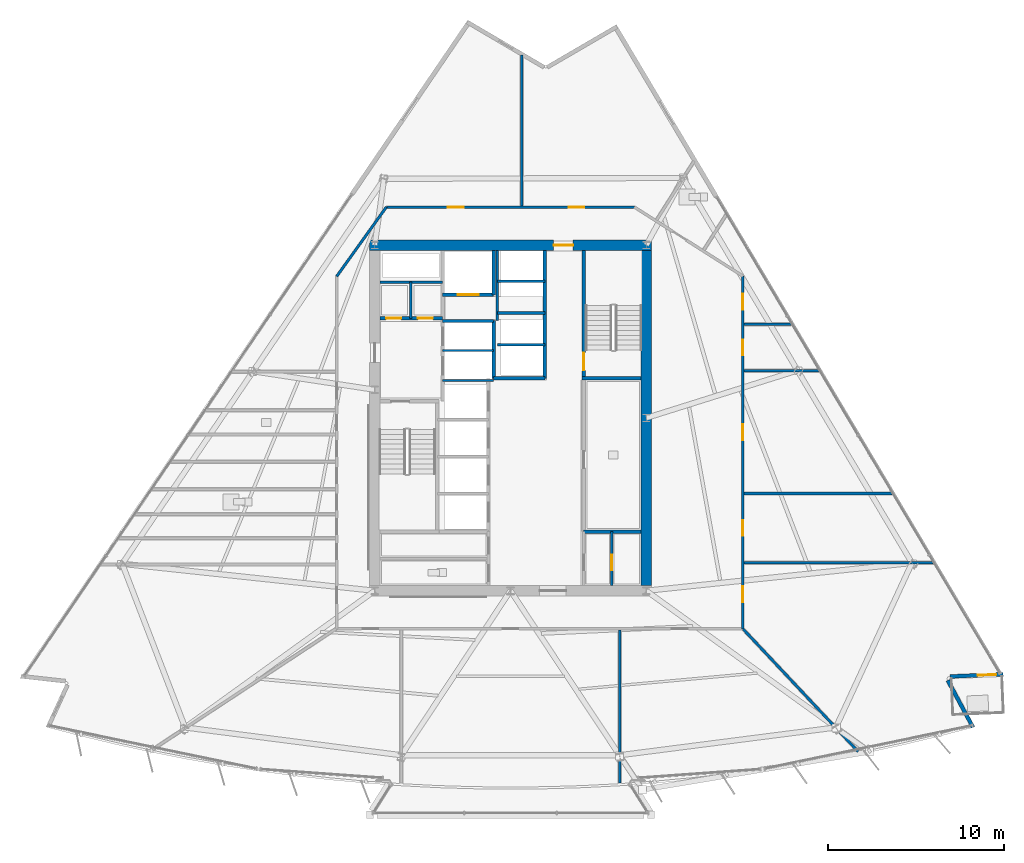
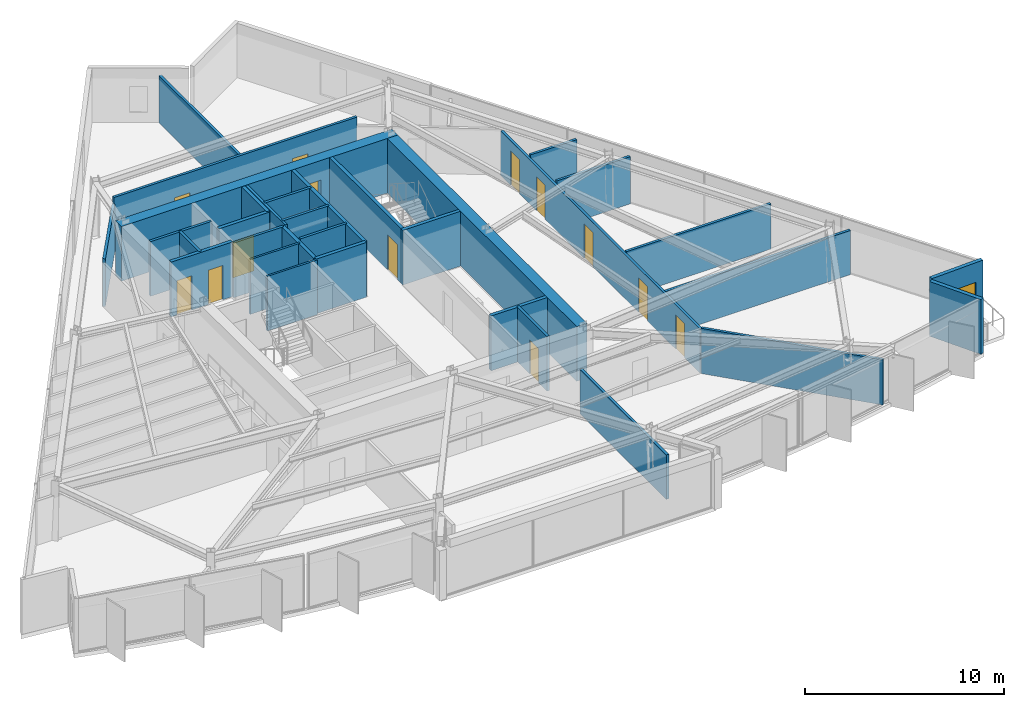
# One storey, part 9 of 15: 33 walls, 14 doors, 14 openings.
"""IFC4 building model written with IfcOpenShell, lengths in metres."""

from ifc_helpers import new_model, si_unit, direction, frame, frame_2d, origin, place, context, subcontext, project, spatial, rectangle, extrude, material, layer, layer_set, type_object, element, fill, save


model = new_model("IFC4")

# Units and contexts
model_context = context("Model", 3, precision=1e-05, world=origin(), true_north=direction((0.0, 1.0)))
body_context = subcontext(model_context, "Body", "Model", "MODEL_VIEW")
ifc_project = project(units=[si_unit("LENGTHUNIT", "METRE"), si_unit("AREAUNIT", "SQUARE_METRE"), si_unit("VOLUMEUNIT", "CUBIC_METRE"), si_unit("PLANEANGLEUNIT", "RADIAN"), si_unit("MASSUNIT", "GRAM", prefix="KILO")], contexts=[model_context])

# Site, building, storey
site_placement = place(None, origin())
site = spatial("IfcSite", under=ifc_project, at=site_placement, CompositionType="ELEMENT")
building_placement = place(site_placement, origin())
building = spatial("IfcBuilding", under=site, at=building_placement, Name="Savorim Split Tower", CompositionType="ELEMENT")
storey_placement = place(building_placement, frame((0.0, 0.0, 118.5)))
storey = spatial("IfcBuildingStorey", under=building, at=storey_placement, Name="L31", CompositionType="ELEMENT", Elevation=118.5)

# Wall, opening, door
ifc_material_1 = material(Name="Concrete C60/75", Category="concrete")
ifc_layer_1 = layer(ifc_material_1, 0.60009765625)
ifc_layer_set_1 = layer_set([ifc_layer_1], Name="WAL-COR-SH600")
wall_type_1 = type_object("IfcWallType", Name="WAL-COR-SH600", PredefinedType="SHEAR", material=ifc_layer_set_1)
wall_1_placement = place(storey_placement, frame((8.0, 10.199951171875, 0.0), z_axis=(0.0, 0.0, 1.0), x_axis=(-1.0, 0.0, 0.0)))
wall_1 = element("IfcWall", 1, at=wall_1_placement, inside=storey, type_object=wall_type_1, Name="L31 Offset Core North Shear Wall", PredefinedType="SHEAR", context=body_context, shape_type="SweptSolid", body=[
    extrude(rectangle(XDim=16.0, YDim=0.60009765625, at=frame_2d((8.0, 0.0))), origin(), (0.0, 0.0, 1.0), 3.35009765625),
])
opening_1_placement = place(wall_1_placement, frame((4.449951171875, 0.0, 0.0)))
opening_1 = element("IfcOpeningElement", 2, at=opening_1_placement, cuts=wall_1, Name="Opening DI-03", PredefinedType="OPENING", context=body_context, shape_type="SweptSolid", body=[
    extrude(rectangle(XDim=1.10009765625, YDim=2.14990234375, at=frame_2d((0.550048828125, 1.074951171875))), frame((0.0, 0.31005859375, 0.0), z_axis=(0.0, -1.0, 0.0), x_axis=(1.0, 0.0, 0.0)), (0.0, 0.0, 1.0), 0.6201171875),
])
ifc_material_2 = material(Name="Timber Fire Door Leaf", Category="wood")
door_type_1 = type_object("IfcDoorType", Name="DOR-FIR-1100", OperationType="NOTDEFINED", PredefinedType="DOOR", material=ifc_material_2)
door_1_placement = place(opening_1_placement, origin())
door_1 = element("IfcDoor", 3, at=door_1_placement, inside=storey, type_object=door_type_1, Name="DOR-L31-COR-NLOB - L31 North Corridor Lobby Fire Door", OperationType="SINGLE_SWING_RIGHT", OverallHeight=2.14990234375, OverallWidth=1.10009765625, PredefinedType="DOOR", context=body_context, shape_type="SweptSolid", body=[
    extrude(rectangle(XDim=1.10009765625, YDim=2.14990234375, at=frame_2d((0.550048828125, 1.074951171875))), frame((0.0, 0.02490234375, 0.0), z_axis=(0.0, -1.0, 0.0), x_axis=(1.0, 0.0, 0.0)), (0.0, 0.0, 1.0), 0.050048828125),
])
fill(opening_1, door_1)

# Walls
wall_2_placement = place(storey_placement, frame((7.699951171875, 9.89990234375, 0.0), z_axis=(0.0, 0.0, 1.0), x_axis=(0.0, -1.0, 0.0)))
element("IfcWall", 4, at=wall_2_placement, inside=storey, type_object=wall_type_1, Name="L31 Offset Core East Shear Wall", PredefinedType="SHEAR", context=body_context, shape_type="SweptSolid", body=[
    extrude(rectangle(XDim=19.0, YDim=0.60009765625, at=frame_2d((9.5, 0.0))), origin(), (0.0, 0.0, 1.0), 3.35009765625),
])
ifc_material_3 = material(Name="Precast concrete C40/50", Category="concrete")
ifc_layer_2 = layer(ifc_material_3, 0.219970703125)
ifc_layer_set_2 = layer_set([ifc_layer_2], Name="WAL-EXT-CRN220")
wall_type_2 = type_object("IfcWallType", Name="WAL-EXT-CRN220", PredefinedType="SOLIDWALL", material=ifc_layer_set_2)
wall_3_placement = place(storey_placement, frame((24.79833984375, -14.477294921875, 0.0), z_axis=(0.0, 0.0, 1.0), x_axis=(0.472820757697, -0.881158629925, 0.0)))
element("IfcWall", 5, at=wall_3_placement, inside=storey, type_object=wall_type_2, Name="L31 Notched Corner Facade Wall SE1", PredefinedType="SOLIDWALL", context=body_context, shape_type="SweptSolid", body=[
    extrude(rectangle(XDim=3.02880859375, YDim=0.219970703125, at=frame_2d((1.514404296875, 0.0))), origin(), (0.0, 0.0, 1.0), 3.35009765625),
])

# Wall, opening, door
wall_4_placement = place(storey_placement, frame((27.943359375, -14.135009765625, 0.0), z_axis=(0.0, 0.0, 1.0), x_axis=(-0.999095621918, -0.042519857284, 0.0)))
wall_4 = element("IfcWall", 6, at=wall_4_placement, inside=storey, type_object=wall_type_2, Name="L31 Notched Corner Facade Wall SE", PredefinedType="SOLIDWALL", context=body_context, shape_type="SweptSolid", body=[
    extrude(rectangle(XDim=3.02587890625, YDim=0.219970703125, at=frame_2d((1.512939453125, 0.0))), origin(), (0.0, 0.0, 1.0), 3.35009765625),
])
opening_2_placement = place(wall_4_placement, frame((0.407958984375, 0.0, 0.0)))
opening_2 = element("IfcOpeningElement", 7, at=opening_2_placement, cuts=wall_4, Name="Opening DB-01", PredefinedType="OPENING", context=body_context, shape_type="SweptSolid", body=[
    extrude(rectangle(XDim=1.050048828125, YDim=2.14990234375, at=frame_2d((0.52490234375, 1.074951171875))), frame((0.0, 0.119873046875, 0.0), z_axis=(0.0, -1.0, 0.0), x_axis=(1.0, 0.0, 0.0)), (0.0, 0.0, 1.0), 0.239990234375),
])
ifc_material_4 = material(Name="Charcoal Anodised Aluminium", Category="aluminium")
door_type_2 = type_object("IfcDoorType", Name="DOR-BAL-1050", OperationType="NOTDEFINED", PredefinedType="DOOR", material=ifc_material_4)
door_2_placement = place(opening_2_placement, origin())
door_2 = element("IfcDoor", 8, at=door_2_placement, inside=storey, type_object=door_type_2, Name="DOR-L31-TBAL-SE - L31 Planted Tree Balcony Door SE", OperationType="SINGLE_SWING_RIGHT", OverallHeight=2.14990234375, OverallWidth=1.050048828125, PredefinedType="DOOR", context=body_context, shape_type="SweptSolid", body=[
    extrude(rectangle(XDim=1.050048828125, YDim=2.14990234375, at=frame_2d((0.52490234375, 1.074951171875))), frame((0.0, 0.02490234375, 0.0), z_axis=(0.0, -1.0, 0.0), x_axis=(1.0, 0.0, 0.0)), (0.0, 0.0, 1.0), 0.050048828125),
])
fill(opening_2, door_2)

# Wall, openings, doors
ifc_material_5 = material(Name="Concrete C50/60", Category="concrete")
ifc_layer_3 = layer(ifc_material_5, 0.199951171875)
ifc_layer_set_3 = layer_set([ifc_layer_3], Name="WAL-INT-RC200")
wall_type_3 = type_object("IfcWallType", Name="WAL-INT-RC200", PredefinedType="SOLIDWALL", material=ifc_layer_set_3)
wall_5_placement = place(storey_placement, frame((-7.39501953125, 6.050048828125, 0.0), z_axis=(0.0, 0.0, 1.0), x_axis=(1.0, 0.0, 0.0)))
wall_5 = element("IfcWall", 9, at=wall_5_placement, inside=storey, type_object=wall_type_3, Name="L31 Partition W-L31-CR04", PredefinedType="SOLIDWALL", context=body_context, shape_type="SweptSolid", body=[
    extrude(rectangle(XDim=3.544921875, YDim=0.199951171875, at=frame_2d((1.7724609375, 0.0))), origin(), (0.0, 0.0, 1.0), 3.35009765625),
])
opening_3_placement = place(wall_5_placement, frame((0.344970703125, 0.0, 0.0)))
opening_3 = element("IfcOpeningElement", 10, at=opening_3_placement, cuts=wall_5, Name="Opening DI-12", PredefinedType="OPENING", context=body_context, shape_type="SweptSolid", body=[
    extrude(rectangle(XDim=0.85009765625, YDim=2.10009765625, at=frame_2d((0.425048828125, 1.050048828125))), frame((0.0, 0.10986328125, 0.0), z_axis=(0.0, -1.0, 0.0), x_axis=(1.0, 0.0, 0.0)), (0.0, 0.0, 1.0), 0.219970703125),
])
opening_4_placement = place(wall_5_placement, frame((2.14501953125, 0.0, 0.0)))
opening_4 = element("IfcOpeningElement", 11, at=opening_4_placement, cuts=wall_5, Name="Opening DI-12", PredefinedType="OPENING", context=body_context, shape_type="SweptSolid", body=[
    extrude(rectangle(XDim=0.85009765625, YDim=2.10009765625, at=frame_2d((0.425048828125, 1.050048828125))), frame((0.0, 0.10986328125, 0.0), z_axis=(0.0, -1.0, 0.0), x_axis=(1.0, 0.0, 0.0)), (0.0, 0.0, 1.0), 0.219970703125),
])
ifc_material_6 = material(Name="Galvanised Painted Steel Balustrade", Category="steel")
door_type_3 = type_object("IfcDoorType", Name="DOR-RIS-850", OperationType="NOTDEFINED", PredefinedType="DOOR", material=ifc_material_6)
door_3_placement = place(opening_3_placement, origin())
door_3 = element("IfcDoor", 12, at=door_3_placement, inside=storey, type_object=door_type_3, Name="DR-L31-ELR - L31 Electrical Riser Access Door", OperationType="SINGLE_SWING_RIGHT", OverallHeight=2.10009765625, OverallWidth=0.85009765625, PredefinedType="DOOR", context=body_context, shape_type="SweptSolid", body=[
    extrude(rectangle(XDim=0.85009765625, YDim=2.10009765625, at=frame_2d((0.425048828125, 1.050048828125))), frame((0.0, 0.02490234375, 0.0), z_axis=(0.0, -1.0, 0.0), x_axis=(1.0, 0.0, 0.0)), (0.0, 0.0, 1.0), 0.050048828125),
])
fill(opening_3, door_3)
door_4_placement = place(opening_4_placement, origin())
door_4 = element("IfcDoor", 13, at=door_4_placement, inside=storey, type_object=door_type_3, Name="DR-L31-TLR - L31 Telecom Riser Access Door", OperationType="SINGLE_SWING_LEFT", OverallHeight=2.10009765625, OverallWidth=0.85009765625, PredefinedType="DOOR", context=body_context, shape_type="SweptSolid", body=[
    extrude(rectangle(XDim=0.85009765625, YDim=2.10009765625, at=frame_2d((0.425048828125, 1.050048828125))), frame((0.0, 0.02490234375, 0.0), z_axis=(0.0, -1.0, 0.0), x_axis=(1.0, 0.0, 0.0)), (0.0, 0.0, 1.0), 0.050048828125),
])
fill(opening_4, door_4)

# Wall, opening, door
wall_6_placement = place(storey_placement, frame((4.14990234375, 2.75, 0.0), z_axis=(0.0, 0.0, 1.0), x_axis=(0.0, 1.0, 0.0)))
wall_6 = element("IfcWall", 14, at=wall_6_placement, inside=storey, type_object=wall_type_3, Name="L31 Structural Shaft Wall W-L31-CR07", PredefinedType="SOLIDWALL", context=body_context, shape_type="SweptSolid", body=[
    extrude(rectangle(XDim=7.14990234375, YDim=0.199951171875, at=frame_2d((3.574951171875, 0.0))), origin(), (0.0, 0.0, 1.0), 3.35009765625),
])
opening_5_placement = place(wall_6_placement, frame((0.35009765625, 0.0, 0.0)))
opening_5 = element("IfcOpeningElement", 15, at=opening_5_placement, cuts=wall_6, Name="Opening DI-04", PredefinedType="OPENING", context=body_context, shape_type="SweptSolid", body=[
    extrude(rectangle(XDim=1.0, YDim=2.14990234375, at=frame_2d((0.5, 1.074951171875))), frame((0.0, 0.10986328125, 0.0), z_axis=(0.0, -1.0, 0.0), x_axis=(1.0, 0.0, 0.0)), (0.0, 0.0, 1.0), 0.219970703125),
])
door_type_4 = type_object("IfcDoorType", Name="DOR-FIR-1000", OperationType="NOTDEFINED", PredefinedType="DOOR", material=ifc_material_2)
door_5_placement = place(opening_5_placement, origin())
door_5 = element("IfcDoor", 16, at=door_5_placement, inside=storey, type_object=door_type_4, Name="DR-L31-ST2 - L31 Stair ST-2 Enclosure Door", OperationType="SINGLE_SWING_RIGHT", OverallHeight=2.14990234375, OverallWidth=1.0, PredefinedType="DOOR", context=body_context, shape_type="SweptSolid", body=[
    extrude(rectangle(XDim=1.0, YDim=2.14990234375, at=frame_2d((0.5, 1.074951171875))), frame((0.0, 0.02490234375, 0.0), z_axis=(0.0, -1.0, 0.0), x_axis=(1.0, 0.0, 0.0)), (0.0, 0.0, 1.0), 0.050048828125),
])
fill(opening_5, door_5)

# Walls
wall_7_placement = place(storey_placement, frame((4.050048828125, 2.64990234375, 0.0), z_axis=(0.0, 0.0, 1.0), x_axis=(1.0, 0.0, 0.0)))
element("IfcWall", 17, at=wall_7_placement, inside=storey, type_object=wall_type_3, Name="L31 Structural Shaft Wall W-L31-CR08", PredefinedType="SOLIDWALL", context=body_context, shape_type="SweptSolid", body=[
    extrude(rectangle(XDim=3.349853515625, YDim=0.199951171875, at=frame_2d((1.6748046875, 0.0))), origin(), (0.0, 0.0, 1.0), 3.35009765625),
])
wall_8_placement = place(storey_placement, frame((-0.949951171875, 2.64990234375, 0.0), z_axis=(0.0, 0.0, 1.0), x_axis=(0.0, 1.0, 0.0)))
element("IfcWall", 18, at=wall_8_placement, inside=storey, type_object=wall_type_3, Name="L31 Partition W-L31-FFLW", PredefinedType="SOLIDWALL", context=body_context, shape_type="SweptSolid", body=[
    extrude(rectangle(XDim=3.27001953125, YDim=0.199951171875, at=frame_2d((1.635009765625, 0.0))), origin(), (0.0, 0.0, 1.0), 3.35009765625),
])

# Wall, opening, door
wall_9_placement = place(storey_placement, frame((-3.85009765625, 7.3798828125, 0.0), z_axis=(0.0, 0.0, 1.0), x_axis=(1.0, 0.0, 0.0)))
wall_9 = element("IfcWall", 19, at=wall_9_placement, inside=storey, type_object=wall_type_3, Name="L31 Partition W-L31-SVLS", PredefinedType="SOLIDWALL", context=body_context, shape_type="SweptSolid", body=[
    extrude(rectangle(XDim=2.900146484375, YDim=0.199951171875, at=frame_2d((1.4501953125, 0.0))), origin(), (0.0, 0.0, 1.0), 3.35009765625),
])
opening_6_placement = place(wall_9_placement, frame((0.85009765625, 0.0, 0.0)))
opening_6 = element("IfcOpeningElement", 20, at=opening_6_placement, cuts=wall_9, Name="Opening LD-SV", PredefinedType="OPENING", context=body_context, shape_type="SweptSolid", body=[
    extrude(rectangle(XDim=1.199951171875, YDim=2.199951171875, at=frame_2d((0.60009765625, 1.10009765625))), frame((0.0, 0.10986328125, 0.0), z_axis=(0.0, -1.0, 0.0), x_axis=(1.0, 0.0, 0.0)), (0.0, 0.0, 1.0), 0.219970703125),
])
door_type_5 = type_object("IfcDoorType", Name="DOR-SLD-SV1200", OperationType="NOTDEFINED", PredefinedType="DOOR", material=ifc_material_4)
door_6_placement = place(opening_6_placement, origin())
door_6 = element("IfcDoor", 21, at=door_6_placement, inside=storey, type_object=door_type_5, Name="DR-L31-LD-SVL1 - L31 Service Lift SVL-1 Sliding Landing Door", OperationType="DOUBLE_DOOR_SLIDING", OverallHeight=2.199951171875, OverallWidth=1.199951171875, PredefinedType="DOOR", context=body_context, shape_type="SweptSolid", body=[
    extrude(rectangle(XDim=1.199951171875, YDim=2.199951171875, at=frame_2d((0.60009765625, 1.10009765625))), frame((0.0, 0.02490234375, 0.0), z_axis=(0.0, -1.0, 0.0), x_axis=(1.0, 0.0, 0.0)), (0.0, 0.0, 1.0), 0.050048828125),
])
fill(opening_6, door_6)

# Walls
wall_10_placement = place(storey_placement, frame((-0.949951171875, 7.3798828125, 0.0), z_axis=(0.0, 0.0, 1.0), x_axis=(0.0, 1.0, 0.0)))
element("IfcWall", 22, at=wall_10_placement, inside=storey, type_object=wall_type_3, Name="L31 Partition W-L31-SVLE", PredefinedType="SOLIDWALL", context=body_context, shape_type="SweptSolid", body=[
    extrude(rectangle(XDim=2.51513671875, YDim=0.199951171875, at=frame_2d((1.257568359375, 0.0))), origin(), (0.0, 0.0, 1.0), 3.35009765625),
])
wall_11_placement = place(storey_placement, frame((1.949951171875, 2.64990234375, 0.0), z_axis=(0.0, 0.0, 1.0), x_axis=(0.0, 1.0, 0.0)))
element("IfcWall", 23, at=wall_11_placement, inside=storey, type_object=wall_type_3, Name="L31 Partition W-L31-B3FRONT", PredefinedType="SOLIDWALL", context=body_context, shape_type="SweptSolid", body=[
    extrude(rectangle(XDim=7.2451171875, YDim=0.199951171875, at=frame_2d((3.62255859375, 0.0))), origin(), (0.0, 0.0, 1.0), 3.35009765625),
])
wall_12_placement = place(storey_placement, frame((-0.949951171875, 2.64990234375, 0.0), z_axis=(0.0, 0.0, 1.0), x_axis=(1.0, 0.0, 0.0)))
element("IfcWall", 24, at=wall_12_placement, inside=storey, type_object=wall_type_3, Name="L31 Partition W-L31-B3SOUTH", PredefinedType="SOLIDWALL", context=body_context, shape_type="SweptSolid", body=[
    extrude(rectangle(XDim=2.89990234375, YDim=0.199951171875, at=frame_2d((1.449951171875, 0.0))), origin(), (0.0, 0.0, 1.0), 3.35009765625),
])
wall_13_placement = place(storey_placement, frame((4.14990234375, -6.050048828125, 0.0), z_axis=(0.0, 0.0, 1.0), x_axis=(1.0, 0.0, 0.0)))
element("IfcWall", 25, at=wall_13_placement, inside=storey, type_object=wall_type_3, Name="L31 Partition W-L31-KSEP-E", PredefinedType="SOLIDWALL", context=body_context, shape_type="SweptSolid", body=[
    extrude(rectangle(XDim=3.2451171875, YDim=0.199951171875, at=frame_2d((1.62255859375, 0.0))), origin(), (0.0, 0.0, 1.0), 3.35009765625),
])
ifc_material_7 = material(Name="Acoustic Gypsum Partition Board")
ifc_layer_4 = layer(ifc_material_7, 0.1201171875)
ifc_layer_set_4 = layer_set([ifc_layer_4], Name="WAL-PAR-120")
wall_type_4 = type_object("IfcWallType", Name="WAL-PAR-120", PredefinedType="PARTITIONING", material=ifc_layer_set_4)
for number, where, z_axis, x_axis, name in (
    (26, (-3.85009765625, 2.52001953125, 0.0), (0.0, 0.0, 1.0), (1.0, 0.0, 0.0), "L31 Partition W-L31-FFLD0"),
    (27, (-3.85009765625, 4.219970703125, 0.0), (0.0, 0.0, 1.0), (1.0, 0.0, 0.0), "L31 Partition W-L31-FFLD1"),
):
    element("IfcWall", number, at=place(storey_placement, frame(where, z_axis=z_axis, x_axis=x_axis)), inside=storey, type_object=wall_type_4, Name=name, PredefinedType="PARTITIONING", context=body_context, shape_type="SweptSolid", body=[
        extrude(rectangle(XDim=2.900146484375, YDim=0.1201171875, at=frame_2d((1.4501953125, 0.0))), origin(), (0.0, 0.0, 1.0), 3.35009765625),
    ])
ifc_layer_5 = layer(ifc_material_7, 0.14990234375)
ifc_layer_set_5 = layer_set([ifc_layer_5], Name="WAL-PAR-150")
wall_type_5 = type_object("IfcWallType", Name="WAL-PAR-150", PredefinedType="PARTITIONING", material=ifc_layer_set_5)
wall_14_placement = place(storey_placement, frame((-7.39501953125, 8.10009765625, 0.0), z_axis=(0.0, 0.0, 1.0), x_axis=(1.0, 0.0, 0.0)))
element("IfcWall", 28, at=wall_14_placement, inside=storey, type_object=wall_type_5, Name="L31 Partition W-L31-CR05", PredefinedType="PARTITIONING", context=body_context, shape_type="SweptSolid", body=[
    extrude(rectangle(XDim=3.544921875, YDim=0.14990234375, at=frame_2d((1.7724609375, 0.0))), origin(), (0.0, 0.0, 1.0), 3.35009765625),
])
wall_15_placement = place(storey_placement, frame((-5.64990234375, 6.050048828125, 0.0), z_axis=(0.0, 0.0, 1.0), x_axis=(0.0, 1.0, 0.0)))
element("IfcWall", 29, at=wall_15_placement, inside=storey, type_object=wall_type_5, Name="L31 Partition W-L31-CR06", PredefinedType="PARTITIONING", context=body_context, shape_type="SweptSolid", body=[
    extrude(rectangle(XDim=2.050048828125, YDim=0.14990234375, at=frame_2d((1.02490234375, 0.0))), origin(), (0.0, 0.0, 1.0), 3.35009765625),
])
wall_16_placement = place(storey_placement, frame((-3.85009765625, 5.89990234375, 0.0), z_axis=(0.0, 0.0, 1.0), x_axis=(1.0, 0.0, 0.0)))
element("IfcWall", 30, at=wall_16_placement, inside=storey, type_object=wall_type_5, Name="L31 Partition W-L31-FFLD2", PredefinedType="PARTITIONING", context=body_context, shape_type="SweptSolid", body=[
    extrude(rectangle(XDim=2.900146484375, YDim=0.14990234375, at=frame_2d((1.4501953125, 0.0))), origin(), (0.0, 0.0, 1.0), 3.35009765625),
])
wall_17_placement = place(storey_placement, frame((-0.75, 5.919921875, 0.0), z_axis=(0.0, 0.0, 1.0), x_axis=(0.0, 1.0, 0.0)))
element("IfcWall", 31, at=wall_17_placement, inside=storey, type_object=wall_type_5, Name="L31 Partition W-L31-B3WEST", PredefinedType="PARTITIONING", context=body_context, shape_type="SweptSolid", body=[
    extrude(rectangle(XDim=3.97509765625, YDim=0.14990234375, at=frame_2d((1.987548828125, 0.0))), origin(), (0.0, 0.0, 1.0), 3.35009765625),
])
for number, where, z_axis, x_axis, name in (
    (32, (-0.75, 4.550048828125, 0.0), (0.0, 0.0, 1.0), (1.0, 0.0, 0.0), "L31 Partition W-L31-B3DIV1"),
    (33, (-0.75, 6.35009765625, 0.0), (0.0, 0.0, 1.0), (1.0, 0.0, 0.0), "L31 Partition W-L31-B3DIV2"),
    (34, (-0.75, 8.14990234375, 0.0), (0.0, 0.0, 1.0), (1.0, 0.0, 0.0), "L31 Partition W-L31-B3DIV3"),
):
    element("IfcWall", number, at=place(storey_placement, frame(where, z_axis=z_axis, x_axis=x_axis)), inside=storey, type_object=wall_type_5, Name=name, PredefinedType="PARTITIONING", context=body_context, shape_type="SweptSolid", body=[
        extrude(rectangle(XDim=2.699951171875, YDim=0.14990234375, at=frame_2d((1.35009765625, 0.0))), origin(), (0.0, 0.0, 1.0), 3.35009765625),
    ])

# Wall, opening, door
wall_18_placement = place(storey_placement, frame((5.75, -9.094970703125, 0.0), z_axis=(0.0, 0.0, 1.0), x_axis=(0.0, 1.0, 0.0)))
wall_18 = element("IfcWall", 35, at=wall_18_placement, inside=storey, type_object=wall_type_5, Name="L31 Partition W-L31-K2E", PredefinedType="PARTITIONING", context=body_context, shape_type="SweptSolid", body=[
    extrude(rectangle(XDim=3.044921875, YDim=0.14990234375, at=frame_2d((1.5224609375, 0.0))), origin(), (0.0, 0.0, 1.0), 3.35009765625),
])
opening_7_placement = place(wall_18_placement, frame((0.844970703125, 0.0, 0.0)))
opening_7 = element("IfcOpeningElement", 36, at=opening_7_placement, cuts=wall_18, Name="Opening DI-06", PredefinedType="OPENING", context=body_context, shape_type="SweptSolid", body=[
    extrude(rectangle(XDim=0.89990234375, YDim=2.10009765625, at=frame_2d((0.449951171875, 1.050048828125))), frame((0.0, 0.0849609375, 0.0), z_axis=(0.0, -1.0, 0.0), x_axis=(1.0, 0.0, 0.0)), (0.0, 0.0, 1.0), 0.169921875),
])
door_type_6 = type_object("IfcDoorType", Name="DOR-FIR-900", OperationType="NOTDEFINED", PredefinedType="DOOR", material=ifc_material_2)
door_7_placement = place(opening_7_placement, origin())
door_7 = element("IfcDoor", 37, at=door_7_placement, inside=storey, type_object=door_type_6, Name="DR-L31-K2REF - L31 Recycling Room Door", OperationType="SINGLE_SWING_RIGHT", OverallHeight=2.10009765625, OverallWidth=0.89990234375, PredefinedType="DOOR", context=body_context, shape_type="SweptSolid", body=[
    extrude(rectangle(XDim=0.89990234375, YDim=2.10009765625, at=frame_2d((0.449951171875, 1.050048828125))), frame((0.0, 0.02490234375, 0.0), z_axis=(0.0, -1.0, 0.0), x_axis=(1.0, 0.0, 0.0)), (0.0, 0.0, 1.0), 0.050048828125),
])
fill(opening_7, door_7)

# Wall
wall_19_placement = place(storey_placement, frame((-9.860107421875, 8.42578125, 0.0), z_axis=(0.0, 0.0, 1.0), x_axis=(0.582449511476, 0.812866881218, 0.0)))
element("IfcWall", 38, at=wall_19_placement, inside=storey, type_object=wall_type_5, Name="L31 Partition W-L31-COR-02", PredefinedType="PARTITIONING", context=body_context, shape_type="SweptSolid", body=[
    extrude(rectangle(XDim=4.840087890625, YDim=0.14990234375, at=frame_2d((2.419921875, 0.0))), origin(), (0.0, 0.0, 1.0), 2.925048828125),
])

# Wall, openings, doors
wall_20_placement = place(storey_placement, frame((-7.041015625, 12.360107421875, 0.0), z_axis=(0.0, 0.0, 1.0), x_axis=(1.0, 0.0, 0.0)))
wall_20 = element("IfcWall", 39, at=wall_20_placement, inside=storey, type_object=wall_type_5, Name="L31 Partition W-L31-COR-03", PredefinedType="PARTITIONING", context=body_context, shape_type="SweptSolid", body=[
    extrude(rectangle(XDim=14.064208984375, YDim=0.14990234375, at=frame_2d((7.0322265625, 0.0))), origin(), (0.0, 0.0, 1.0), 3.35009765625),
])
opening_8_placement = place(wall_20_placement, frame((10.33203125, 0.0, 0.0)))
opening_8 = element("IfcOpeningElement", 40, at=opening_8_placement, cuts=wall_20, Name="Opening DI-06", PredefinedType="OPENING", context=body_context, shape_type="SweptSolid", body=[
    extrude(rectangle(XDim=0.89990234375, YDim=2.10009765625, at=frame_2d((0.449951171875, 1.050048828125))), frame((0.0, 0.0849609375, 0.0), z_axis=(0.0, -1.0, 0.0), x_axis=(1.0, 0.0, 0.0)), (0.0, 0.0, 1.0), 0.169921875),
])
opening_9_placement = place(wall_20_placement, frame((3.478271484375, 0.0, 0.0)))
opening_9 = element("IfcOpeningElement", 41, at=opening_9_placement, cuts=wall_20, Name="Opening DI-06", PredefinedType="OPENING", context=body_context, shape_type="SweptSolid", body=[
    extrude(rectangle(XDim=0.89990234375, YDim=2.10009765625, at=frame_2d((0.449951171875, 1.050048828125))), frame((0.0, 0.0849609375, 0.0), z_axis=(0.0, -1.0, 0.0), x_axis=(1.0, 0.0, 0.0)), (0.0, 0.0, 1.0), 0.169921875),
])
door_8_placement = place(opening_8_placement, origin())
door_8 = element("IfcDoor", 42, at=door_8_placement, inside=storey, type_object=door_type_6, Name="DR-L31-RM17 - L31 Maker Workshop Entry Door", OperationType="SINGLE_SWING_RIGHT", OverallHeight=2.10009765625, OverallWidth=0.89990234375, PredefinedType="DOOR", context=body_context, shape_type="SweptSolid", body=[
    extrude(rectangle(XDim=0.89990234375, YDim=2.10009765625, at=frame_2d((0.449951171875, 1.050048828125))), frame((0.0, 0.02490234375, 0.0), z_axis=(0.0, -1.0, 0.0), x_axis=(1.0, 0.0, 0.0)), (0.0, 0.0, 1.0), 0.050048828125),
])
fill(opening_8, door_8)
door_9_placement = place(opening_9_placement, origin())
door_9 = element("IfcDoor", 43, at=door_9_placement, inside=storey, type_object=door_type_6, Name="DR-L31-RM18 - L31 Maker Workshop Entry Door", OperationType="SINGLE_SWING_LEFT", OverallHeight=2.10009765625, OverallWidth=0.89990234375, PredefinedType="DOOR", context=body_context, shape_type="SweptSolid", body=[
    extrude(rectangle(XDim=0.89990234375, YDim=2.10009765625, at=frame_2d((0.449951171875, 1.050048828125))), frame((0.0, 0.02490234375, 0.0), z_axis=(0.0, -1.0, 0.0), x_axis=(1.0, 0.0, 0.0)), (0.0, 0.0, 1.0), 0.050048828125),
])
fill(opening_9, door_9)

wall_21_placement = place(storey_placement, frame((13.179931640625, 8.44384765625, 0.0), z_axis=(0.0, 0.0, 1.0), x_axis=(0.0, -1.0, 0.0)))
wall_21 = element("IfcWall", 44, at=wall_21_placement, inside=storey, type_object=wall_type_5, Name="L31 Partition W-L31-COR-05", PredefinedType="PARTITIONING", context=body_context, shape_type="SweptSolid", body=[
    extrude(rectangle(XDim=20.00390625, YDim=0.14990234375, at=frame_2d((10.001953125, 0.0))), origin(), (0.0, 0.0, 1.0), 2.705078125),
])
opening_10_placement = place(wall_21_placement, frame((17.5869140625, 0.0, 0.0)))
opening_10 = element("IfcOpeningElement", 45, at=opening_10_placement, cuts=wall_21, Name="Opening DI-06", PredefinedType="OPENING", context=body_context, shape_type="SweptSolid", body=[
    extrude(rectangle(XDim=0.89990234375, YDim=2.10009765625, at=frame_2d((0.449951171875, 1.050048828125))), frame((0.0, 0.0849609375, 0.0), z_axis=(0.0, -1.0, 0.0), x_axis=(1.0, 0.0, 0.0)), (0.0, 0.0, 1.0), 0.169921875),
])
opening_11_placement = place(wall_21_placement, frame((13.83740234375, 0.0, 0.0)))
opening_11 = element("IfcOpeningElement", 46, at=opening_11_placement, cuts=wall_21, Name="Opening DI-06", PredefinedType="OPENING", context=body_context, shape_type="SweptSolid", body=[
    extrude(rectangle(XDim=0.89990234375, YDim=2.10009765625, at=frame_2d((0.449951171875, 1.050048828125))), frame((0.0, 0.0849609375, 0.0), z_axis=(0.0, -1.0, 0.0), x_axis=(1.0, 0.0, 0.0)), (0.0, 0.0, 1.0), 0.169921875),
])
opening_12_placement = place(wall_21_placement, frame((8.39599609375, 0.0, 0.0)))
opening_12 = element("IfcOpeningElement", 47, at=opening_12_placement, cuts=wall_21, Name="Opening DI-06", PredefinedType="OPENING", context=body_context, shape_type="SweptSolid", body=[
    extrude(rectangle(XDim=0.89990234375, YDim=2.10009765625, at=frame_2d((0.449951171875, 1.050048828125))), frame((0.0, 0.0849609375, 0.0), z_axis=(0.0, -1.0, 0.0), x_axis=(1.0, 0.0, 0.0)), (0.0, 0.0, 1.0), 0.169921875),
])
opening_13_placement = place(wall_21_placement, frame((3.598876953125, 0.0, 0.0)))
opening_13 = element("IfcOpeningElement", 48, at=opening_13_placement, cuts=wall_21, Name="Opening DI-06", PredefinedType="OPENING", context=body_context, shape_type="SweptSolid", body=[
    extrude(rectangle(XDim=0.89990234375, YDim=2.10009765625, at=frame_2d((0.449951171875, 1.050048828125))), frame((0.0, 0.0849609375, 0.0), z_axis=(0.0, -1.0, 0.0), x_axis=(1.0, 0.0, 0.0)), (0.0, 0.0, 1.0), 0.169921875),
])
opening_14_placement = place(wall_21_placement, frame((1.00537109375, 0.0, 0.0)))
opening_14 = element("IfcOpeningElement", 49, at=opening_14_placement, cuts=wall_21, Name="Opening DI-06", PredefinedType="OPENING", context=body_context, shape_type="SweptSolid", body=[
    extrude(rectangle(XDim=0.89990234375, YDim=2.10009765625, at=frame_2d((0.449951171875, 1.050048828125))), frame((0.0, 0.0849609375, 0.0), z_axis=(0.0, -1.0, 0.0), x_axis=(1.0, 0.0, 0.0)), (0.0, 0.0, 1.0), 0.169921875),
])
door_10_placement = place(opening_10_placement, origin())
door_10 = element("IfcDoor", 50, at=door_10_placement, inside=storey, type_object=door_type_6, Name="DR-L31-RM11 - L31 Maker Workshop Entry Door", OperationType="SINGLE_SWING_RIGHT", OverallHeight=2.10009765625, OverallWidth=0.89990234375, PredefinedType="DOOR", context=body_context, shape_type="SweptSolid", body=[
    extrude(rectangle(XDim=0.89990234375, YDim=2.10009765625, at=frame_2d((0.449951171875, 1.050048828125))), frame((0.0, 0.02490234375, 0.0), z_axis=(0.0, -1.0, 0.0), x_axis=(1.0, 0.0, 0.0)), (0.0, 0.0, 1.0), 0.050048828125),
])
fill(opening_10, door_10)
door_11_placement = place(opening_11_placement, origin())
door_11 = element("IfcDoor", 51, at=door_11_placement, inside=storey, type_object=door_type_6, Name="DR-L31-RM12 - L31 Co-Living Bedroom Entry Door", OperationType="SINGLE_SWING_LEFT", OverallHeight=2.10009765625, OverallWidth=0.89990234375, PredefinedType="DOOR", context=body_context, shape_type="SweptSolid", body=[
    extrude(rectangle(XDim=0.89990234375, YDim=2.10009765625, at=frame_2d((0.449951171875, 1.050048828125))), frame((0.0, 0.02490234375, 0.0), z_axis=(0.0, -1.0, 0.0), x_axis=(1.0, 0.0, 0.0)), (0.0, 0.0, 1.0), 0.050048828125),
])
fill(opening_11, door_11)
door_12_placement = place(opening_12_placement, origin())
door_12 = element("IfcDoor", 52, at=door_12_placement, inside=storey, type_object=door_type_6, Name="DR-L31-RM13 - L31 Maker Workshop Entry Door", OperationType="SINGLE_SWING_RIGHT", OverallHeight=2.10009765625, OverallWidth=0.89990234375, PredefinedType="DOOR", context=body_context, shape_type="SweptSolid", body=[
    extrude(rectangle(XDim=0.89990234375, YDim=2.10009765625, at=frame_2d((0.449951171875, 1.050048828125))), frame((0.0, 0.02490234375, 0.0), z_axis=(0.0, -1.0, 0.0), x_axis=(1.0, 0.0, 0.0)), (0.0, 0.0, 1.0), 0.050048828125),
])
fill(opening_12, door_12)
door_13_placement = place(opening_13_placement, origin())
door_13 = element("IfcDoor", 53, at=door_13_placement, inside=storey, type_object=door_type_6, Name="DR-L31-RM14 - L31 Co-Working Commons Entry Door", OperationType="SINGLE_SWING_LEFT", OverallHeight=2.10009765625, OverallWidth=0.89990234375, PredefinedType="DOOR", context=body_context, shape_type="SweptSolid", body=[
    extrude(rectangle(XDim=0.89990234375, YDim=2.10009765625, at=frame_2d((0.449951171875, 1.050048828125))), frame((0.0, 0.02490234375, 0.0), z_axis=(0.0, -1.0, 0.0), x_axis=(1.0, 0.0, 0.0)), (0.0, 0.0, 1.0), 0.050048828125),
])
fill(opening_13, door_13)
door_14_placement = place(opening_14_placement, origin())
door_14 = element("IfcDoor", 54, at=door_14_placement, inside=storey, type_object=door_type_6, Name="DR-L31-RM15 - L31 Co-Living Bedroom Entry Door", OperationType="SINGLE_SWING_RIGHT", OverallHeight=2.10009765625, OverallWidth=0.89990234375, PredefinedType="DOOR", context=body_context, shape_type="SweptSolid", body=[
    extrude(rectangle(XDim=0.89990234375, YDim=2.10009765625, at=frame_2d((0.449951171875, 1.050048828125))), frame((0.0, 0.02490234375, 0.0), z_axis=(0.0, -1.0, 0.0), x_axis=(1.0, 0.0, 0.0)), (0.0, 0.0, 1.0), 0.050048828125),
])
fill(opening_14, door_14)

# Walls
wall_22_placement = place(storey_placement, frame((6.197021484375, -11.6201171875, 0.0), z_axis=(0.0, 0.0, 1.0), x_axis=(0.0, -1.0, 0.0)))
element("IfcWall", 55, at=wall_22_placement, inside=storey, type_object=wall_type_5, Name="L31 Partition W-L31-PRAD03", PredefinedType="PARTITIONING", context=body_context, shape_type="SweptSolid", body=[
    extrude(rectangle(XDim=8.66845703125, YDim=0.14990234375, at=frame_2d((4.334228515625, 0.0))), origin(), (0.0, 0.0, 1.0), 2.72509765625),
])
wall_23_placement = place(storey_placement, frame((13.19873046875, -11.578857421875, 0.0), z_axis=(0.0, 0.0, 1.0), x_axis=(0.684539988811, -0.728975310774, 0.0)))
element("IfcWall", 56, at=wall_23_placement, inside=storey, type_object=wall_type_5, Name="L31 Partition W-L31-PRAD04", PredefinedType="PARTITIONING", context=body_context, shape_type="SweptSolid", body=[
    extrude(rectangle(XDim=9.51611328125, YDim=0.14990234375, at=frame_2d((4.758056640625, 0.0))), origin(), (0.0, 0.0, 1.0), 2.77490234375),
])
wall_24_placement = place(storey_placement, frame((13.239990234375, 3.07861328125, 0.0), z_axis=(0.0, 0.0, 1.0), x_axis=(1.0, 0.0, 0.0)))
element("IfcWall", 57, at=wall_24_placement, inside=storey, type_object=wall_type_5, Name="L31 Partition W-L31-PRAD06", PredefinedType="PARTITIONING", context=body_context, shape_type="SweptSolid", body=[
    extrude(rectangle(XDim=4.244873046875, YDim=0.14990234375, at=frame_2d((2.12255859375, 0.0))), origin(), (0.0, 0.0, 1.0), 2.885009765625),
])
wall_25_placement = place(storey_placement, frame((13.239990234375, -3.882568359375, 0.0), z_axis=(0.0, 0.0, 1.0), x_axis=(1.0, 0.0, 0.0)))
element("IfcWall", 58, at=wall_25_placement, inside=storey, type_object=wall_type_5, Name="L31 Partition W-L31-SUB05", PredefinedType="PARTITIONING", context=body_context, shape_type="SweptSolid", body=[
    extrude(rectangle(XDim=8.384033203125, YDim=0.14990234375, at=frame_2d((4.19189453125, 0.0))), origin(), (0.0, 0.0, 1.0), 2.77490234375),
])
wall_26_placement = place(storey_placement, frame((13.239990234375, 5.71142578125, 0.0), z_axis=(0.0, 0.0, 1.0), x_axis=(1.0, 0.0, 0.0)))
element("IfcWall", 59, at=wall_26_placement, inside=storey, type_object=wall_type_5, Name="L31 Partition W-L31-SUB06", PredefinedType="PARTITIONING", context=body_context, shape_type="SweptSolid", body=[
    extrude(rectangle(XDim=2.67919921875, YDim=0.14990234375, at=frame_2d((1.339599609375, 0.0))), origin(), (0.0, 0.0, 1.0), 2.885009765625),
])
wall_27_placement = place(storey_placement, frame((0.636962890625, 12.419921875, 0.0), z_axis=(0.0, 0.0, 1.0), x_axis=(0.0, 1.0, 0.0)))
element("IfcWall", 60, at=wall_27_placement, inside=storey, type_object=wall_type_5, Name="L31 Partition W-L31-SUB07", PredefinedType="PARTITIONING", context=body_context, shape_type="SweptSolid", body=[
    extrude(rectangle(XDim=8.55517578125, YDim=0.14990234375, at=frame_2d((4.277587890625, 0.0))), origin(), (0.0, 0.0, 1.0), 2.885009765625),
])
wall_28_placement = place(storey_placement, frame((13.239990234375, -7.80419921875, 0.0), z_axis=(0.0, 0.0, 1.0), x_axis=(1.0, 0.0, 0.0)))
element("IfcWall", 61, at=wall_28_placement, inside=storey, type_object=wall_type_5, Name="L31 Partition W-L31-SUB11", PredefinedType="PARTITIONING", context=body_context, shape_type="SweptSolid", body=[
    extrude(rectangle(XDim=10.7158203125, YDim=0.14990234375, at=frame_2d((5.35791015625, 0.0))), origin(), (0.0, 0.0, 1.0), 2.705078125),
])

save(model, "model.ifc")
